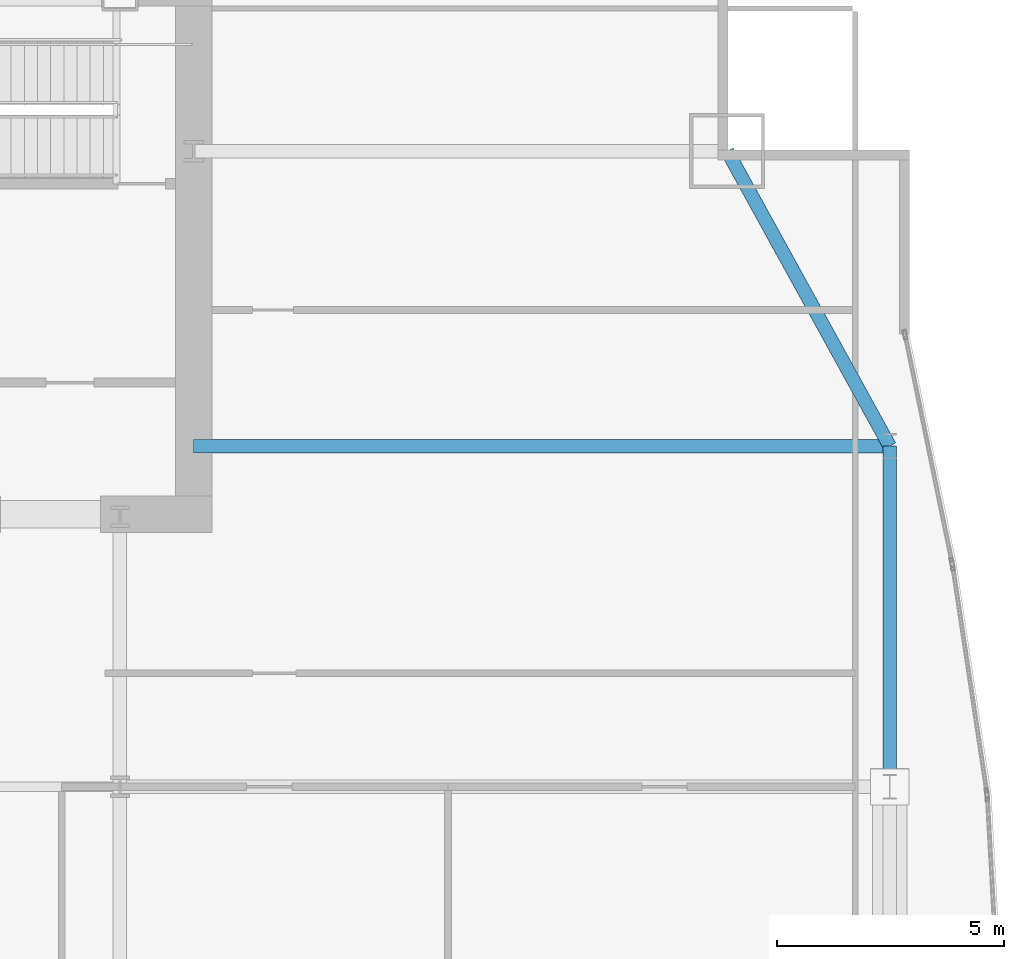
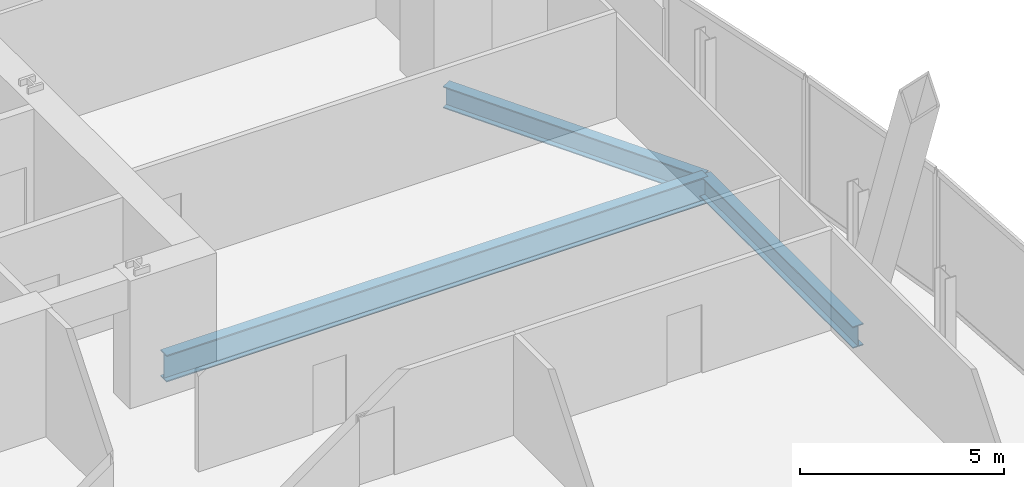
# One storey, part 26 of 36: 3 beams.
"""IFC4 building model written with IfcOpenShell, lengths in metres."""

from ifc_helpers import new_model, si_unit, direction, frame, origin, origin_2d, place, context, subcontext, project, spatial, i_section, extrude, material, material_profile, profile_set, type_object, element, save


model = new_model("IFC4")

# Units and contexts
model_context = context("Model", 3, precision=1e-05, world=origin(), true_north=direction((0.0, 1.0)))
body_context = subcontext(model_context, "Body", "Model", "MODEL_VIEW")
ifc_project = project(units=[si_unit("LENGTHUNIT", "METRE"), si_unit("AREAUNIT", "SQUARE_METRE"), si_unit("VOLUMEUNIT", "CUBIC_METRE"), si_unit("PLANEANGLEUNIT", "RADIAN"), si_unit("MASSUNIT", "GRAM", prefix="KILO")], contexts=[model_context])

# Site, building, storey
site_placement = place(None, origin())
site = spatial("IfcSite", under=ifc_project, at=site_placement, CompositionType="ELEMENT")
building_placement = place(site_placement, origin())
building = spatial("IfcBuilding", under=site, at=building_placement, Name="Khoronbel Lancet Exchange", CompositionType="ELEMENT")
storey_placement = place(building_placement, frame((0.0, 0.0, 49.800048828125)))
storey = spatial("IfcBuildingStorey", under=building, at=storey_placement, Name="L11", CompositionType="ELEMENT", Elevation=49.800048828125)

# Beams
ifc_material = material(Name="Steel S355", Category="steel")
ifc_material_profile_1 = material_profile(ifc_material, i_section(OverallWidth=0.300048828125, OverallDepth=0.800048828125, WebThickness=0.017578125, FlangeThickness=0.032958984375, at=origin_2d()), Name="HEB 800")
ifc_profile_set_1 = profile_set([ifc_material_profile_1], Name="Steel S355")
beam_type_1 = type_object("IfcBeamType", Name="BM-BG2", PredefinedType="BEAM", material=ifc_profile_set_1)
beam_1_placement = place(storey_placement, frame((56.300048828125, 43.199951171875, -0.580078125), z_axis=(1.0, 0.0, 0.0), x_axis=(0.0, 1.0, 0.0)))
element("IfcBeam", 1, at=beam_1_placement, inside=storey, type_object=beam_type_1, Name="Level L11 east lens tie girder LG3E", PredefinedType="BEAM", context=body_context, shape_type="SweptSolid", body=[
    extrude(i_section(OverallWidth=0.300048828125, OverallDepth=0.800048828125, WebThickness=0.017578125, FlangeThickness=0.032958984375, at=origin_2d()), origin(), (0.0, 0.0, 1.0), 15.329833984375),
])
ifc_material_profile_2 = material_profile(ifc_material, i_section(OverallWidth=0.300048828125, OverallDepth=0.64990234375, WebThickness=0.01611328125, FlangeThickness=0.031005859375, at=origin_2d()), Name="HEB 650")
ifc_profile_set_2 = profile_set([ifc_material_profile_2], Name="Steel S355")
beam_type_2 = type_object("IfcBeamType", Name="BM-BSP1", PredefinedType="SPANDREL", material=ifc_profile_set_2)
beam_2_placement = place(storey_placement, frame((71.6298828125, 35.699951171875, -0.505126953125), z_axis=(0.0, 1.0, 0.0), x_axis=(-1.0, 0.0, 0.0)))
element("IfcBeam", 2, at=beam_2_placement, inside=storey, type_object=beam_type_2, Name="Level L11 perimeter spandrel beam SP14", PredefinedType="SPANDREL", context=body_context, shape_type="SweptSolid", body=[
    extrude(i_section(OverallWidth=0.300048828125, OverallDepth=0.64990234375, WebThickness=0.01611328125, FlangeThickness=0.031005859375, at=origin_2d()), origin(), (0.0, 0.0, 1.0), 7.5),
])
beam_3_placement = place(storey_placement, frame((71.6298828125, 43.199951171875, -0.505126953125), z_axis=(-0.482418808117, 0.875940690672, 0.0), x_axis=(-0.875940690672, -0.482418808117, 0.0)))
element("IfcBeam", 3, at=beam_3_placement, inside=storey, type_object=beam_type_2, Name="Level L11 perimeter spandrel beam SP15", PredefinedType="SPANDREL", context=body_context, shape_type="SweptSolid", body=[
    extrude(i_section(OverallWidth=0.300048828125, OverallDepth=0.64990234375, WebThickness=0.01611328125, FlangeThickness=0.031005859375, at=origin_2d()), origin(), (0.0, 0.0, 1.0), 7.420654296875),
])

save(model, "model.ifc")
